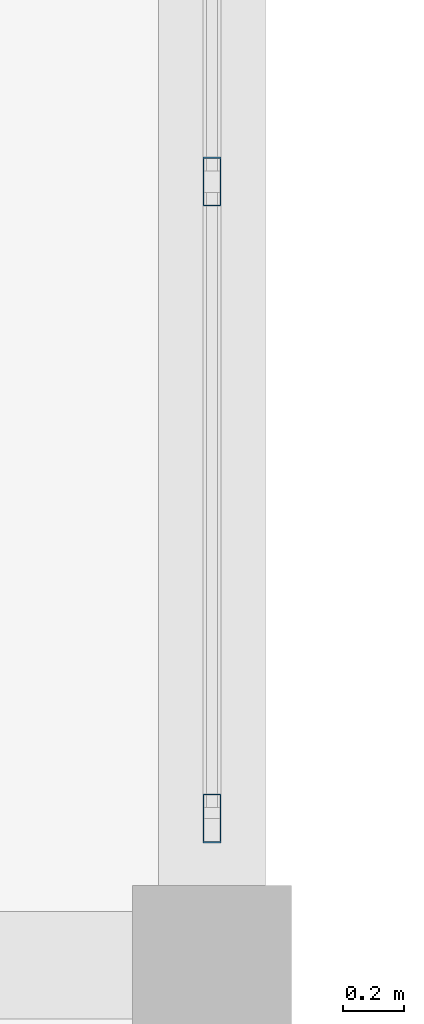
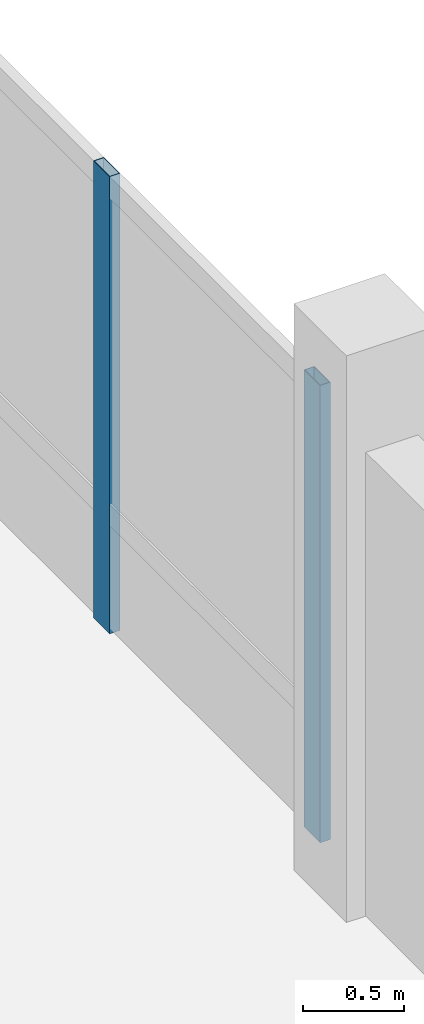
# One storey, part 10 of 26: 2 members, 1 element without a shape of its own.
"""IFC4 building model written with IfcOpenShell, lengths in metres."""

from ifc_helpers import new_model, si_unit, direction, frame, origin, origin_2d, place, context, subcontext, project, spatial, hollow_rectangle, extrude, material, material_profile, profile_set, type_object, element, aggregate, save


model = new_model("IFC4")

# Units and contexts
model_context = context("Model", 3, precision=1e-05, world=origin(), true_north=direction((0.0, 1.0)))
body_context = subcontext(model_context, "Body", "Model", "MODEL_VIEW")
ifc_project = project(units=[si_unit("LENGTHUNIT", "METRE"), si_unit("AREAUNIT", "SQUARE_METRE"), si_unit("VOLUMEUNIT", "CUBIC_METRE"), si_unit("PLANEANGLEUNIT", "RADIAN"), si_unit("MASSUNIT", "GRAM", prefix="KILO")], contexts=[model_context])

# Site, building, storey
site_placement = place(None, origin())
site = spatial("IfcSite", under=ifc_project, at=site_placement, CompositionType="ELEMENT")
building_placement = place(site_placement, origin())
building = spatial("IfcBuilding", under=site, at=building_placement, Name="Zornivar Specialist Clinic", CompositionType="ELEMENT")
storey_placement = place(building_placement, frame((0.0, 0.0, 19.699951171875)))
storey = spatial("IfcBuildingStorey", under=building, at=storey_placement, Name="L05", CompositionType="ELEMENT", Elevation=19.699951171875)

# Curtain wall, members
ifc_material_1 = material(Name="Aluminium and Low-E Glass Curtain Wall", Category="aluminium")
curtain_wall_type = type_object("IfcCurtainWallType", Name="CW-REVAK-COURT", PredefinedType="NOTDEFINED", material=ifc_material_1)
curtain_wall_placement = place(storey_placement, origin())
curtain_wall = element("IfcCurtainWall", 1, at=curtain_wall_placement, inside=storey, type_object=curtain_wall_type, Name="cw:V2:L05:12", PredefinedType="NOTDEFINED")
ifc_material_2 = material(Name="Aluminium AW-6060", Category="aluminium")
ifc_material_profile = material_profile(ifc_material_2, hollow_rectangle(XDim=0.06005859375, YDim=0.159912109375, WallThickness=0.00390625, at=origin_2d()), Name="ALU 60x160x4")
ifc_profile_set = profile_set([ifc_material_profile], Name="Aluminium AW-6060")
member_type = type_object("IfcMemberType", Name="CWM-MUL-160", PredefinedType="MULLION", material=ifc_profile_set)
member_1_placement = place(storey_placement, frame((14.39990234375, 29.280029296875, 0.0), z_axis=(0.0, 0.0, 1.0), x_axis=(1.0, 0.0, 0.0)))
member_1 = element("IfcMember", 2, at=member_1_placement, type_object=member_type, Name="cw:V2:L05:12:mul:0", PredefinedType="MULLION", context=body_context, shape_type="SweptSolid", body=[
    extrude(hollow_rectangle(XDim=0.06005859375, YDim=0.159912109375, WallThickness=0.00390625, at=origin_2d()), origin(), (0.0, 0.0, 1.0), 2.760009765625),
])
member_2_placement = place(storey_placement, frame((14.39990234375, 31.360107421875, 0.0), z_axis=(0.0, 0.0, 1.0), x_axis=(1.0, 0.0, 0.0)))
member_2 = element("IfcMember", 3, at=member_2_placement, type_object=member_type, Name="cw:V2:L05:12:mul:1", PredefinedType="MULLION", context=body_context, shape_type="SweptSolid", body=[
    extrude(hollow_rectangle(XDim=0.06005859375, YDim=0.159912109375, WallThickness=0.00390625, at=origin_2d()), origin(), (0.0, 0.0, 1.0), 2.760009765625),
])
aggregate(curtain_wall, [member_1, member_2])

save(model, "model.ifc")
